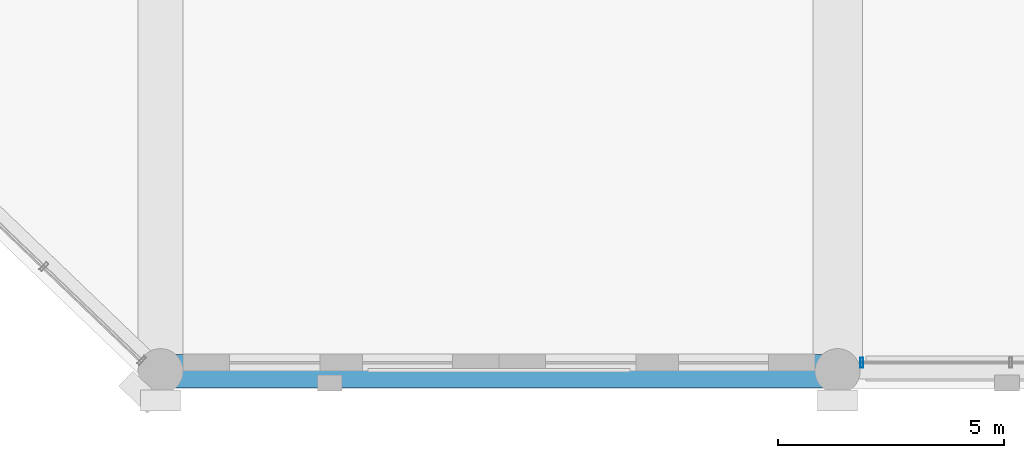
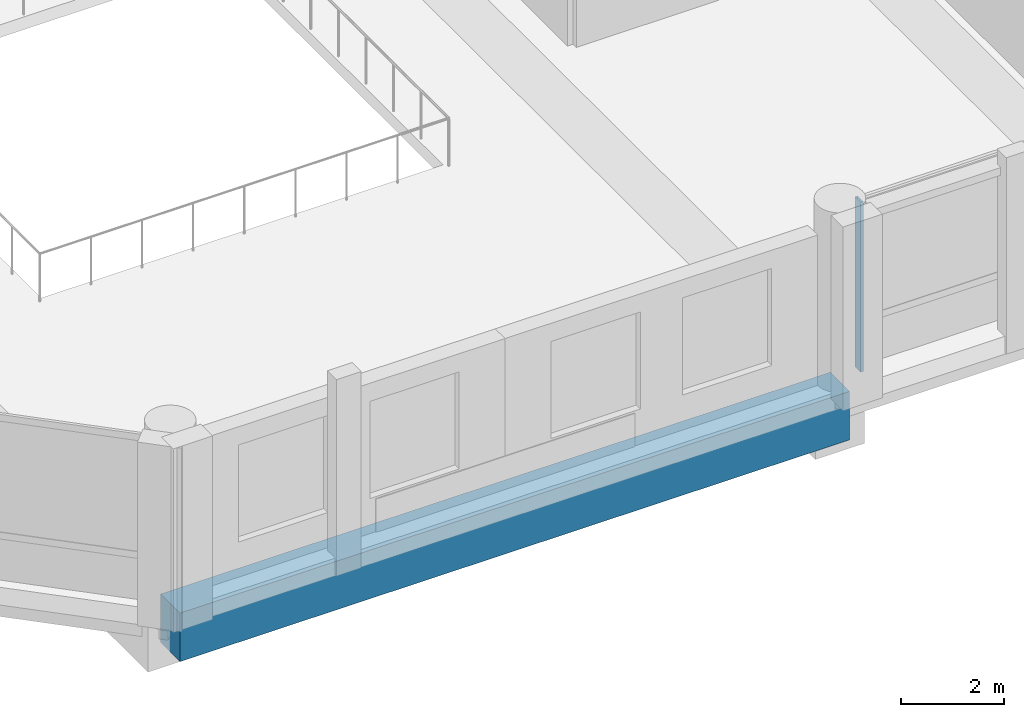
# One storey, part 8 of 64: 1 beam, 1 member, 1 element without a shape of its own.
"""IFC4 building model written with IfcOpenShell, lengths in metres."""

from ifc_helpers import new_model, si_unit, direction, frame, origin, origin_2d, place, context, subcontext, project, spatial, rectangle, hollow_rectangle, extrude, material, material_profile, profile_set, type_object, element, aggregate, save


model = new_model("IFC4")

# Units and contexts
model_context = context("Model", 3, precision=1e-05, world=origin(), true_north=direction((0.0, 1.0)))
body_context = subcontext(model_context, "Body", "Model", "MODEL_VIEW")
ifc_project = project(units=[si_unit("LENGTHUNIT", "METRE"), si_unit("AREAUNIT", "SQUARE_METRE"), si_unit("VOLUMEUNIT", "CUBIC_METRE"), si_unit("PLANEANGLEUNIT", "RADIAN"), si_unit("MASSUNIT", "GRAM", prefix="KILO")], contexts=[model_context])

# Site, building, storey
site_placement = place(None, origin())
site = spatial("IfcSite", under=ifc_project, at=site_placement, CompositionType="ELEMENT")
building_placement = place(site_placement, origin())
building = spatial("IfcBuilding", under=site, at=building_placement, Name="Akrevak Sports Hall", CompositionType="ELEMENT")
storey_placement = place(building_placement, frame((0.0, 0.0, 4.60009765625)))
storey = spatial("IfcBuildingStorey", under=building, at=storey_placement, Name="L01", CompositionType="ELEMENT", Elevation=4.60009765625)

# Curtain wall, member
ifc_material_1 = material(Name="Anodized Bronze Aluminium & Low-E Glass", Category="aluminium")
curtain_wall_type = type_object("IfcCurtainWallType", Name="ARC-CW-POD-64x44", PredefinedType="NOTDEFINED", material=ifc_material_1)
curtain_wall_placement = place(storey_placement, origin())
curtain_wall = element("IfcCurtainWall", 1, at=curtain_wall_placement, inside=storey, type_object=curtain_wall_type, Name="Curtain Wall CW-L01-S03", PredefinedType="NOTDEFINED")
ifc_material_2 = material(Name="Anodized Bronze Aluminium", Category="aluminium")
ifc_material_profile_1 = material_profile(ifc_material_2, hollow_rectangle(XDim=0.06494140625, YDim=0.219970703125, WallThickness=0.00439453125, at=origin_2d()), Name="CWM 65x220", Category="aluminium")
ifc_profile_set_1 = profile_set([ifc_material_profile_1], Name="Anodized Bronze Aluminium")
member_type = type_object("IfcMemberType", Name="ARC-CWM-70x160", PredefinedType="MULLION", material=ifc_profile_set_1)
member_placement = place(storey_placement, frame((30.5400390625, 0.18994140625, 0.0), z_axis=(0.0, 0.0, 1.0), x_axis=(1.0, 0.0, 0.0)))
member = element("IfcMember", 2, at=member_placement, type_object=member_type, Name="Curtain Wall Mullion CW-L01-S03-M1", PredefinedType="MULLION", context=body_context, shape_type="SweptSolid", body=[
    extrude(hollow_rectangle(XDim=0.06494140625, YDim=0.219970703125, WallThickness=0.00439453125, at=origin_2d()), origin(), (0.0, 0.0, 1.0), 4.02001953125),
])
aggregate(curtain_wall, [member])

# Beam
ifc_material_3 = material(Name="Concrete C50/60", Category="concrete")
ifc_material_profile_2 = material_profile(ifc_material_3, rectangle(XDim=0.75, YDim=1.14990234375, at=origin_2d()), Name="SPD 750x1150", Category="concrete")
ifc_profile_set_2 = profile_set([ifc_material_profile_2], Name="Concrete C50/60")
beam_type = type_object("IfcBeamType", Name="STR-SPD-LSP750x1150", PredefinedType="SPANDREL", material=ifc_profile_set_2)
beam_placement = place(storey_placement, frame((15.0, 0.0, -0.5751953125), z_axis=(1.0, 0.0, 0.0), x_axis=(0.0, 1.0, 0.0)))
element("IfcBeam", 3, at=beam_placement, inside=storey, type_object=beam_type, Name="Girder A/3-5 (L01)", PredefinedType="SPANDREL", context=body_context, shape_type="SweptSolid", body=[
    extrude(rectangle(XDim=0.75, YDim=1.14990234375, at=origin_2d()), origin(), (0.0, 0.0, 1.0), 15.0),
])

save(model, "model.ifc")
